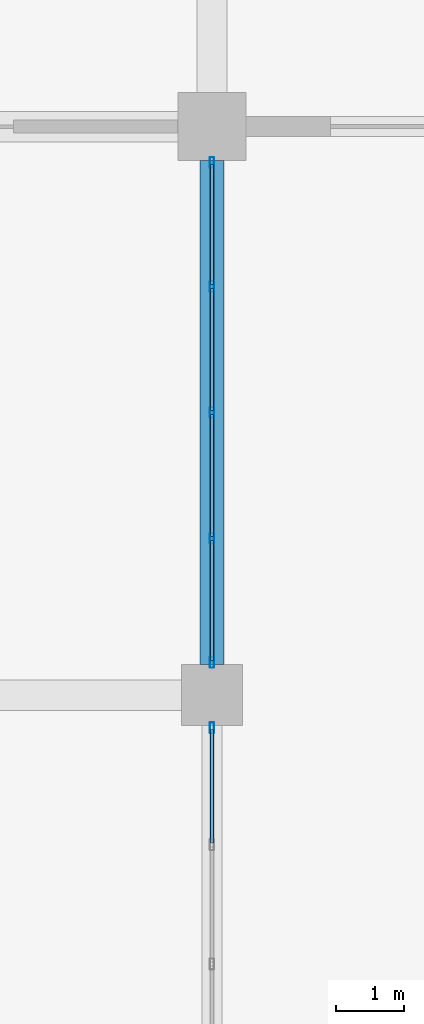
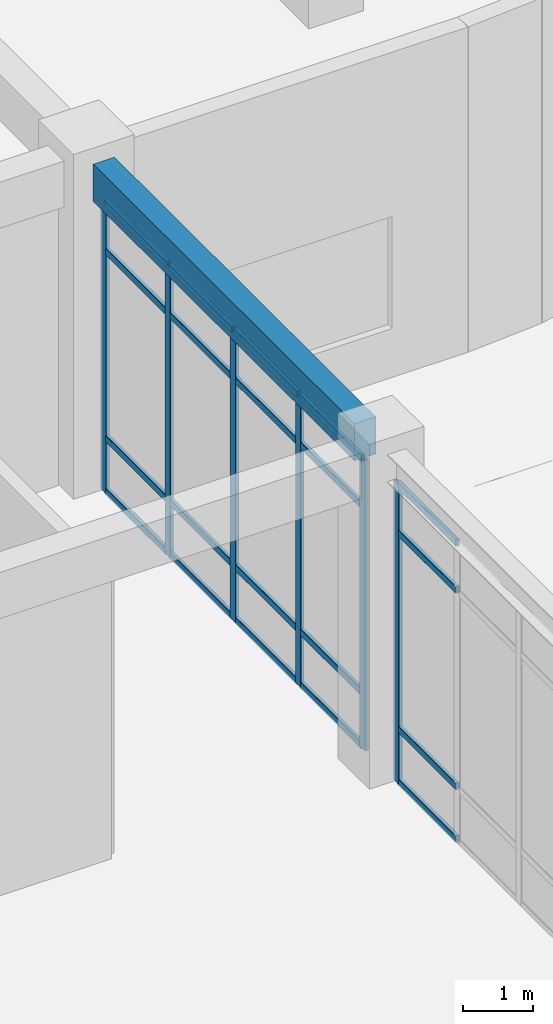
# One storey, part 42 of 82: 26 members, 1 beam, 2 elements without a shape of their own.
"""IFC4 building model written with IfcOpenShell, lengths in metres."""

from ifc_helpers import new_model, si_unit, derived_unit, direction, frame, origin, origin_2d, place, context, subcontext, project, spatial, rectangle, hollow_rectangle, extrude, material, layer, layer_set, material_profile, profile_set, type_object, element, aggregate, save


model = new_model("IFC4")

# Units and contexts
model_context = context("Model", 3, precision=1e-05, world=origin(), true_north=direction((0.0, 1.0)))
body_context = subcontext(model_context, "Body", "Model", "MODEL_VIEW")
ifc_project = project(units=[si_unit("LENGTHUNIT", "METRE"), si_unit("AREAUNIT", "SQUARE_METRE"), si_unit("VOLUMEUNIT", "CUBIC_METRE"), si_unit("PLANEANGLEUNIT", "RADIAN"), si_unit("MASSUNIT", "GRAM", prefix="KILO"), derived_unit("THERMALTRANSMITTANCEUNIT", [(si_unit("MASSUNIT", "GRAM", prefix="KILO"), 1), (si_unit("TIMEUNIT", "SECOND"), -3), (si_unit("THERMODYNAMICTEMPERATUREUNIT", "KELVIN"), -1)])], contexts=[model_context])

# Site, building, storey
site_placement = place(None, origin())
site = spatial("IfcSite", under=ifc_project, at=site_placement, CompositionType="ELEMENT")
building_placement = place(site_placement, origin())
building = spatial("IfcBuilding", under=site, at=building_placement, Name="Qinzheling Arcade Emporium", CompositionType="ELEMENT")
storey_placement = place(building_placement, origin())
storey = spatial("IfcBuildingStorey", under=building, at=storey_placement, Name="L01", CompositionType="ELEMENT", Elevation=0.0)

# Curtain wall, members
ifc_material_1 = material(Name="Anodised aluminium and solar-control double glazing", Category="aluminium")
ifc_layer = layer(ifc_material_1, 0.159912109375, Name="Anodised aluminium and solar-control double glazing", Category="aluminium")
ifc_layer_set = layer_set([ifc_layer], Name="Anodised aluminium and solar-control double glazing")
curtain_wall_type = type_object("IfcCurtainWallType", Name="Street Arcade Stick Curtain Wall", PredefinedType="NOTDEFINED", material=ifc_layer_set)
curtain_wall_1_placement = place(storey_placement, origin())
curtain_wall_1 = element("IfcCurtainWall", 1, at=curtain_wall_1_placement, inside=storey, type_object=curtain_wall_type, Name="Curtain Wall CW-L01-043", PredefinedType="NOTDEFINED")
ifc_material_2 = material(Name="Anodised aluminium 6063-T6", Category="aluminium")
ifc_material_profile_1 = material_profile(ifc_material_2, hollow_rectangle(XDim=0.06005859375, YDim=0.159912109375, WallThickness=0.00390625, InnerFilletRadius=0.00390625, OuterFilletRadius=0.008056640625, at=origin_2d()), Name="RHS 160x60x4", Category="aluminium")
ifc_profile_set_1 = profile_set([ifc_material_profile_1], Name="Anodised aluminium 6063-T6")
member_type_1 = type_object("IfcMemberType", Name="Curtain Wall Mullion RHS160x60", PredefinedType="MULLION", material=ifc_profile_set_1)
member_1_placement = place(storey_placement, frame((130.5, 73.26806640625, 0.0), z_axis=(0.0, 0.0, 1.0), x_axis=(1.0, 0.0, 0.0)))
member_1 = element("IfcMember", 2, at=member_1_placement, type_object=member_type_1, Name="CW01 mullion 1", PredefinedType="MULLION", context=body_context, shape_type="SweptSolid", body=[
    extrude(hollow_rectangle(XDim=0.06005859375, YDim=0.159912109375, WallThickness=0.00390625, InnerFilletRadius=0.00390625, OuterFilletRadius=0.008056640625, at=origin_2d()), origin(), (0.0, 0.0, 1.0), 5.054931640625),
])
member_2_placement = place(storey_placement, frame((130.5, 71.4365234375, 0.0), z_axis=(0.0, 0.0, 1.0), x_axis=(1.0, 0.0, 0.0)))
member_2 = element("IfcMember", 3, at=member_2_placement, type_object=member_type_1, Name="CW01 mullion 2", PredefinedType="MULLION", context=body_context, shape_type="SweptSolid", body=[
    extrude(hollow_rectangle(XDim=0.06005859375, YDim=0.159912109375, WallThickness=0.00390625, InnerFilletRadius=0.00390625, OuterFilletRadius=0.008056640625, at=origin_2d()), origin(), (0.0, 0.0, 1.0), 5.054931640625),
])
member_3_placement = place(storey_placement, frame((130.5, 69.574951171875, 0.0), z_axis=(0.0, 0.0, 1.0), x_axis=(1.0, 0.0, 0.0)))
member_3 = element("IfcMember", 4, at=member_3_placement, type_object=member_type_1, Name="CW01 mullion 3", PredefinedType="MULLION", context=body_context, shape_type="SweptSolid", body=[
    extrude(hollow_rectangle(XDim=0.06005859375, YDim=0.159912109375, WallThickness=0.00390625, InnerFilletRadius=0.00390625, OuterFilletRadius=0.008056640625, at=origin_2d()), origin(), (0.0, 0.0, 1.0), 5.054931640625),
])
member_4_placement = place(storey_placement, frame((130.5, 67.71337890625, 0.0), z_axis=(0.0, 0.0, 1.0), x_axis=(1.0, 0.0, 0.0)))
member_4 = element("IfcMember", 5, at=member_4_placement, type_object=member_type_1, Name="CW01 mullion 4", PredefinedType="MULLION", context=body_context, shape_type="SweptSolid", body=[
    extrude(hollow_rectangle(XDim=0.06005859375, YDim=0.159912109375, WallThickness=0.00390625, InnerFilletRadius=0.00390625, OuterFilletRadius=0.008056640625, at=origin_2d()), origin(), (0.0, 0.0, 1.0), 5.054931640625),
])
member_5_placement = place(storey_placement, frame((130.5, 65.882080078125, 0.0), z_axis=(0.0, 0.0, 1.0), x_axis=(1.0, 0.0, 0.0)))
member_5 = element("IfcMember", 6, at=member_5_placement, type_object=member_type_1, Name="CW01 mullion 5", PredefinedType="MULLION", context=body_context, shape_type="SweptSolid", body=[
    extrude(hollow_rectangle(XDim=0.06005859375, YDim=0.159912109375, WallThickness=0.00390625, InnerFilletRadius=0.00390625, OuterFilletRadius=0.008056640625, at=origin_2d()), origin(), (0.0, 0.0, 1.0), 5.054931640625),
])

# Curtain wall, member
curtain_wall_2_placement = place(storey_placement, origin())
curtain_wall_2 = element("IfcCurtainWall", 7, at=curtain_wall_2_placement, inside=storey, type_object=curtain_wall_type, Name="Curtain Wall CW-L01-044", PredefinedType="NOTDEFINED")
member_6_placement = place(storey_placement, frame((130.5, 64.91796875, 0.0), z_axis=(0.0, 0.0, 1.0), x_axis=(1.0, 0.0, 0.0)))
member_6 = element("IfcMember", 8, at=member_6_placement, type_object=member_type_1, Name="CW01 mullion 1", PredefinedType="MULLION", context=body_context, shape_type="SweptSolid", body=[
    extrude(hollow_rectangle(XDim=0.06005859375, YDim=0.159912109375, WallThickness=0.00390625, InnerFilletRadius=0.00390625, OuterFilletRadius=0.008056640625, at=origin_2d()), origin(), (0.0, 0.0, 1.0), 5.217041015625),
])

# Member
ifc_material_profile_2 = material_profile(ifc_material_2, hollow_rectangle(XDim=0.06005859375, YDim=0.1201171875, WallThickness=0.00390625, InnerFilletRadius=0.00390625, OuterFilletRadius=0.008056640625, at=origin_2d()), Name="RHS 120x60x4", Category="aluminium")
ifc_profile_set_2 = profile_set([ifc_material_profile_2], Name="Anodised aluminium 6063-T6")
member_type_2 = type_object("IfcMemberType", Name="Curtain Wall Transom RHS120x60", PredefinedType="USERDEFINED", material=ifc_profile_set_2)
member_7_placement = place(storey_placement, frame((130.5, 73.238037109375, 0.030029296875), z_axis=(0.0, -1.0, 0.0), x_axis=(1.0, 0.0, 0.0)))
member_7 = element("IfcMember", 9, at=member_7_placement, type_object=member_type_2, Name="CW01 transom 1.1", ObjectType="TRANSOM", PredefinedType="USERDEFINED", context=body_context, shape_type="SweptSolid", body=[
    extrude(hollow_rectangle(XDim=0.06005859375, YDim=0.1201171875, WallThickness=0.00390625, InnerFilletRadius=0.00390625, OuterFilletRadius=0.008056640625, at=origin_2d()), origin(), (0.0, 0.0, 1.0), 1.771484375),
])

member_8_placement = place(storey_placement, frame((130.5, 73.238037109375, 0.949951171875), z_axis=(0.0, -1.0, 0.0), x_axis=(1.0, 0.0, 0.0)))
member_8 = element("IfcMember", 10, at=member_8_placement, type_object=member_type_2, Name="CW01 transom 1.2", ObjectType="TRANSOM", PredefinedType="USERDEFINED", context=body_context, shape_type="SweptSolid", body=[
    extrude(hollow_rectangle(XDim=0.06005859375, YDim=0.1201171875, WallThickness=0.00390625, InnerFilletRadius=0.00390625, OuterFilletRadius=0.008056640625, at=origin_2d()), origin(), (0.0, 0.0, 1.0), 1.771484375),
])

member_9_placement = place(storey_placement, frame((130.5, 73.238037109375, 4.205078125), z_axis=(0.0, -1.0, 0.0), x_axis=(1.0, 0.0, 0.0)))
member_9 = element("IfcMember", 11, at=member_9_placement, type_object=member_type_2, Name="CW01 transom 1.3", ObjectType="TRANSOM", PredefinedType="USERDEFINED", context=body_context, shape_type="SweptSolid", body=[
    extrude(hollow_rectangle(XDim=0.06005859375, YDim=0.1201171875, WallThickness=0.00390625, InnerFilletRadius=0.00390625, OuterFilletRadius=0.008056640625, at=origin_2d()), origin(), (0.0, 0.0, 1.0), 1.771484375),
])

member_10_placement = place(storey_placement, frame((130.5, 73.238037109375, 5.02490234375), z_axis=(0.0, -1.0, 0.0), x_axis=(1.0, 0.0, 0.0)))
member_10 = element("IfcMember", 12, at=member_10_placement, type_object=member_type_2, Name="CW01 transom 1.4", ObjectType="TRANSOM", PredefinedType="USERDEFINED", context=body_context, shape_type="SweptSolid", body=[
    extrude(hollow_rectangle(XDim=0.06005859375, YDim=0.1201171875, WallThickness=0.00390625, InnerFilletRadius=0.00390625, OuterFilletRadius=0.008056640625, at=origin_2d()), origin(), (0.0, 0.0, 1.0), 1.771484375),
])

member_11_placement = place(storey_placement, frame((130.5, 71.406494140625, 0.030029296875), z_axis=(0.0, -1.0, 0.0), x_axis=(1.0, 0.0, 0.0)))
member_11 = element("IfcMember", 13, at=member_11_placement, type_object=member_type_2, Name="CW01 transom 2.1", ObjectType="TRANSOM", PredefinedType="USERDEFINED", context=body_context, shape_type="SweptSolid", body=[
    extrude(hollow_rectangle(XDim=0.06005859375, YDim=0.1201171875, WallThickness=0.00390625, InnerFilletRadius=0.00390625, OuterFilletRadius=0.008056640625, at=origin_2d()), origin(), (0.0, 0.0, 1.0), 1.801513671875),
])

member_12_placement = place(storey_placement, frame((130.5, 71.406494140625, 0.949951171875), z_axis=(0.0, -1.0, 0.0), x_axis=(1.0, 0.0, 0.0)))
member_12 = element("IfcMember", 14, at=member_12_placement, type_object=member_type_2, Name="CW01 transom 2.2", ObjectType="TRANSOM", PredefinedType="USERDEFINED", context=body_context, shape_type="SweptSolid", body=[
    extrude(hollow_rectangle(XDim=0.06005859375, YDim=0.1201171875, WallThickness=0.00390625, InnerFilletRadius=0.00390625, OuterFilletRadius=0.008056640625, at=origin_2d()), origin(), (0.0, 0.0, 1.0), 1.801513671875),
])

member_13_placement = place(storey_placement, frame((130.5, 71.406494140625, 4.205078125), z_axis=(0.0, -1.0, 0.0), x_axis=(1.0, 0.0, 0.0)))
member_13 = element("IfcMember", 15, at=member_13_placement, type_object=member_type_2, Name="CW01 transom 2.3", ObjectType="TRANSOM", PredefinedType="USERDEFINED", context=body_context, shape_type="SweptSolid", body=[
    extrude(hollow_rectangle(XDim=0.06005859375, YDim=0.1201171875, WallThickness=0.00390625, InnerFilletRadius=0.00390625, OuterFilletRadius=0.008056640625, at=origin_2d()), origin(), (0.0, 0.0, 1.0), 1.801513671875),
])

member_14_placement = place(storey_placement, frame((130.5, 71.406494140625, 5.02490234375), z_axis=(0.0, -1.0, 0.0), x_axis=(1.0, 0.0, 0.0)))
member_14 = element("IfcMember", 16, at=member_14_placement, type_object=member_type_2, Name="CW01 transom 2.4", ObjectType="TRANSOM", PredefinedType="USERDEFINED", context=body_context, shape_type="SweptSolid", body=[
    extrude(hollow_rectangle(XDim=0.06005859375, YDim=0.1201171875, WallThickness=0.00390625, InnerFilletRadius=0.00390625, OuterFilletRadius=0.008056640625, at=origin_2d()), origin(), (0.0, 0.0, 1.0), 1.801513671875),
])

member_15_placement = place(storey_placement, frame((130.5, 69.544921875, 0.030029296875), z_axis=(0.0, -1.0, 0.0), x_axis=(1.0, 0.0, 0.0)))
member_15 = element("IfcMember", 17, at=member_15_placement, type_object=member_type_2, Name="CW01 transom 3.1", ObjectType="TRANSOM", PredefinedType="USERDEFINED", context=body_context, shape_type="SweptSolid", body=[
    extrude(hollow_rectangle(XDim=0.06005859375, YDim=0.1201171875, WallThickness=0.00390625, InnerFilletRadius=0.00390625, OuterFilletRadius=0.008056640625, at=origin_2d()), origin(), (0.0, 0.0, 1.0), 1.801513671875),
])

member_16_placement = place(storey_placement, frame((130.5, 69.544921875, 0.949951171875), z_axis=(0.0, -1.0, 0.0), x_axis=(1.0, 0.0, 0.0)))
member_16 = element("IfcMember", 18, at=member_16_placement, type_object=member_type_2, Name="CW01 transom 3.2", ObjectType="TRANSOM", PredefinedType="USERDEFINED", context=body_context, shape_type="SweptSolid", body=[
    extrude(hollow_rectangle(XDim=0.06005859375, YDim=0.1201171875, WallThickness=0.00390625, InnerFilletRadius=0.00390625, OuterFilletRadius=0.008056640625, at=origin_2d()), origin(), (0.0, 0.0, 1.0), 1.801513671875),
])

member_17_placement = place(storey_placement, frame((130.5, 69.544921875, 4.205078125), z_axis=(0.0, -1.0, 0.0), x_axis=(1.0, 0.0, 0.0)))
member_17 = element("IfcMember", 19, at=member_17_placement, type_object=member_type_2, Name="CW01 transom 3.3", ObjectType="TRANSOM", PredefinedType="USERDEFINED", context=body_context, shape_type="SweptSolid", body=[
    extrude(hollow_rectangle(XDim=0.06005859375, YDim=0.1201171875, WallThickness=0.00390625, InnerFilletRadius=0.00390625, OuterFilletRadius=0.008056640625, at=origin_2d()), origin(), (0.0, 0.0, 1.0), 1.801513671875),
])

member_18_placement = place(storey_placement, frame((130.5, 69.544921875, 5.02490234375), z_axis=(0.0, -1.0, 0.0), x_axis=(1.0, 0.0, 0.0)))
member_18 = element("IfcMember", 20, at=member_18_placement, type_object=member_type_2, Name="CW01 transom 3.4", ObjectType="TRANSOM", PredefinedType="USERDEFINED", context=body_context, shape_type="SweptSolid", body=[
    extrude(hollow_rectangle(XDim=0.06005859375, YDim=0.1201171875, WallThickness=0.00390625, InnerFilletRadius=0.00390625, OuterFilletRadius=0.008056640625, at=origin_2d()), origin(), (0.0, 0.0, 1.0), 1.801513671875),
])

member_19_placement = place(storey_placement, frame((130.5, 67.68359375, 0.030029296875), z_axis=(0.0, -1.0, 0.0), x_axis=(1.0, 0.0, 0.0)))
member_19 = element("IfcMember", 21, at=member_19_placement, type_object=member_type_2, Name="CW01 transom 4.1", ObjectType="TRANSOM", PredefinedType="USERDEFINED", context=body_context, shape_type="SweptSolid", body=[
    extrude(hollow_rectangle(XDim=0.06005859375, YDim=0.1201171875, WallThickness=0.00390625, InnerFilletRadius=0.00390625, OuterFilletRadius=0.008056640625, at=origin_2d()), origin(), (0.0, 0.0, 1.0), 1.771484375),
])

member_20_placement = place(storey_placement, frame((130.5, 67.68359375, 0.949951171875), z_axis=(0.0, -1.0, 0.0), x_axis=(1.0, 0.0, 0.0)))
member_20 = element("IfcMember", 22, at=member_20_placement, type_object=member_type_2, Name="CW01 transom 4.2", ObjectType="TRANSOM", PredefinedType="USERDEFINED", context=body_context, shape_type="SweptSolid", body=[
    extrude(hollow_rectangle(XDim=0.06005859375, YDim=0.1201171875, WallThickness=0.00390625, InnerFilletRadius=0.00390625, OuterFilletRadius=0.008056640625, at=origin_2d()), origin(), (0.0, 0.0, 1.0), 1.771484375),
])

member_21_placement = place(storey_placement, frame((130.5, 67.68359375, 4.205078125), z_axis=(0.0, -1.0, 0.0), x_axis=(1.0, 0.0, 0.0)))
member_21 = element("IfcMember", 23, at=member_21_placement, type_object=member_type_2, Name="CW01 transom 4.3", ObjectType="TRANSOM", PredefinedType="USERDEFINED", context=body_context, shape_type="SweptSolid", body=[
    extrude(hollow_rectangle(XDim=0.06005859375, YDim=0.1201171875, WallThickness=0.00390625, InnerFilletRadius=0.00390625, OuterFilletRadius=0.008056640625, at=origin_2d()), origin(), (0.0, 0.0, 1.0), 1.771484375),
])

member_22_placement = place(storey_placement, frame((130.5, 67.68359375, 5.02490234375), z_axis=(0.0, -1.0, 0.0), x_axis=(1.0, 0.0, 0.0)))
member_22 = element("IfcMember", 24, at=member_22_placement, type_object=member_type_2, Name="CW01 transom 4.4", ObjectType="TRANSOM", PredefinedType="USERDEFINED", context=body_context, shape_type="SweptSolid", body=[
    extrude(hollow_rectangle(XDim=0.06005859375, YDim=0.1201171875, WallThickness=0.00390625, InnerFilletRadius=0.00390625, OuterFilletRadius=0.008056640625, at=origin_2d()), origin(), (0.0, 0.0, 1.0), 1.771484375),
])

aggregate(curtain_wall_1, [member_1, member_2, member_3, member_4, member_5, member_7, member_8, member_9, member_10, member_11, member_12, member_13, member_14, member_15, member_16, member_17, member_18, member_19, member_20, member_21, member_22])

member_23_placement = place(storey_placement, frame((130.5, 64.887939453125, 0.030029296875), z_axis=(0.0, -1.0, 0.0), x_axis=(1.0, 0.0, 0.0)))
member_23 = element("IfcMember", 25, at=member_23_placement, type_object=member_type_2, Name="CW01 transom 1.1", ObjectType="TRANSOM", PredefinedType="USERDEFINED", context=body_context, shape_type="SweptSolid", body=[
    extrude(hollow_rectangle(XDim=0.06005859375, YDim=0.1201171875, WallThickness=0.00390625, InnerFilletRadius=0.00390625, OuterFilletRadius=0.008056640625, at=origin_2d()), origin(), (0.0, 0.0, 1.0), 1.67138671875),
])

member_24_placement = place(storey_placement, frame((130.5, 64.887939453125, 0.949951171875), z_axis=(0.0, -1.0, 0.0), x_axis=(1.0, 0.0, 0.0)))
member_24 = element("IfcMember", 26, at=member_24_placement, type_object=member_type_2, Name="CW01 transom 1.2", ObjectType="TRANSOM", PredefinedType="USERDEFINED", context=body_context, shape_type="SweptSolid", body=[
    extrude(hollow_rectangle(XDim=0.06005859375, YDim=0.1201171875, WallThickness=0.00390625, InnerFilletRadius=0.00390625, OuterFilletRadius=0.008056640625, at=origin_2d()), origin(), (0.0, 0.0, 1.0), 1.67138671875),
])

member_25_placement = place(storey_placement, frame((130.5, 64.887939453125, 4.366943359375), z_axis=(0.0, -1.0, 0.0), x_axis=(1.0, 0.0, 0.0)))
member_25 = element("IfcMember", 27, at=member_25_placement, type_object=member_type_2, Name="CW01 transom 1.3", ObjectType="TRANSOM", PredefinedType="USERDEFINED", context=body_context, shape_type="SweptSolid", body=[
    extrude(hollow_rectangle(XDim=0.06005859375, YDim=0.1201171875, WallThickness=0.00390625, InnerFilletRadius=0.00390625, OuterFilletRadius=0.008056640625, at=origin_2d()), origin(), (0.0, 0.0, 1.0), 1.67138671875),
])

member_26_placement = place(storey_placement, frame((130.5, 64.887939453125, 5.18701171875), z_axis=(0.0, -1.0, 0.0), x_axis=(1.0, 0.0, 0.0)))
member_26 = element("IfcMember", 28, at=member_26_placement, type_object=member_type_2, Name="CW01 transom 1.4", ObjectType="TRANSOM", PredefinedType="USERDEFINED", context=body_context, shape_type="SweptSolid", body=[
    extrude(hollow_rectangle(XDim=0.06005859375, YDim=0.1201171875, WallThickness=0.00390625, InnerFilletRadius=0.00390625, OuterFilletRadius=0.008056640625, at=origin_2d()), origin(), (0.0, 0.0, 1.0), 1.67138671875),
])

aggregate(curtain_wall_2, [member_6, member_23, member_24, member_25, member_26])

# Beam
ifc_material_3 = material(Name="Concrete C40", Category="concrete")
ifc_material_profile_3 = material_profile(ifc_material_3, rectangle(XDim=0.35009765625, YDim=0.64990234375, at=origin_2d()), Name="RC 350x650", Category="concrete")
ifc_profile_set_3 = profile_set([ifc_material_profile_3], Name="Concrete C40")
beam_type = type_object("IfcBeamType", Name="RC Spandrel Edge Beam 350x650 C40", PredefinedType="SPANDREL", material=ifc_profile_set_3)
beam_placement = place(storey_placement, frame((130.5, 65.85009765625, 5.39501953125), z_axis=(0.0, 1.0, 0.0), x_axis=(-1.0, 0.0, 0.0)))
element("IfcBeam", 29, at=beam_placement, inside=storey, type_object=beam_type, Name="Beam BM-L01-Y-16-H", PredefinedType="SPANDREL", context=body_context, shape_type="SweptSolid", body=[
    extrude(rectangle(XDim=0.35009765625, YDim=0.64990234375, at=origin_2d()), origin(), (0.0, 0.0, 1.0), 7.449951171875),
])

save(model, "model.ifc")
